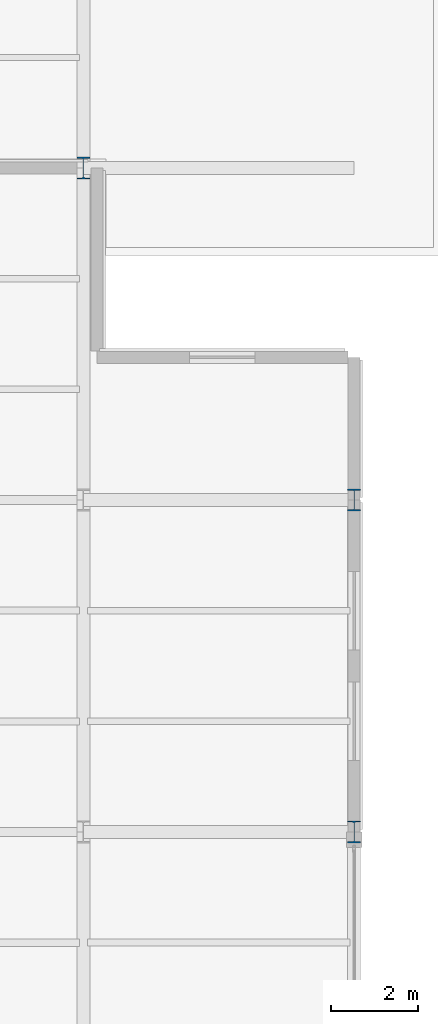
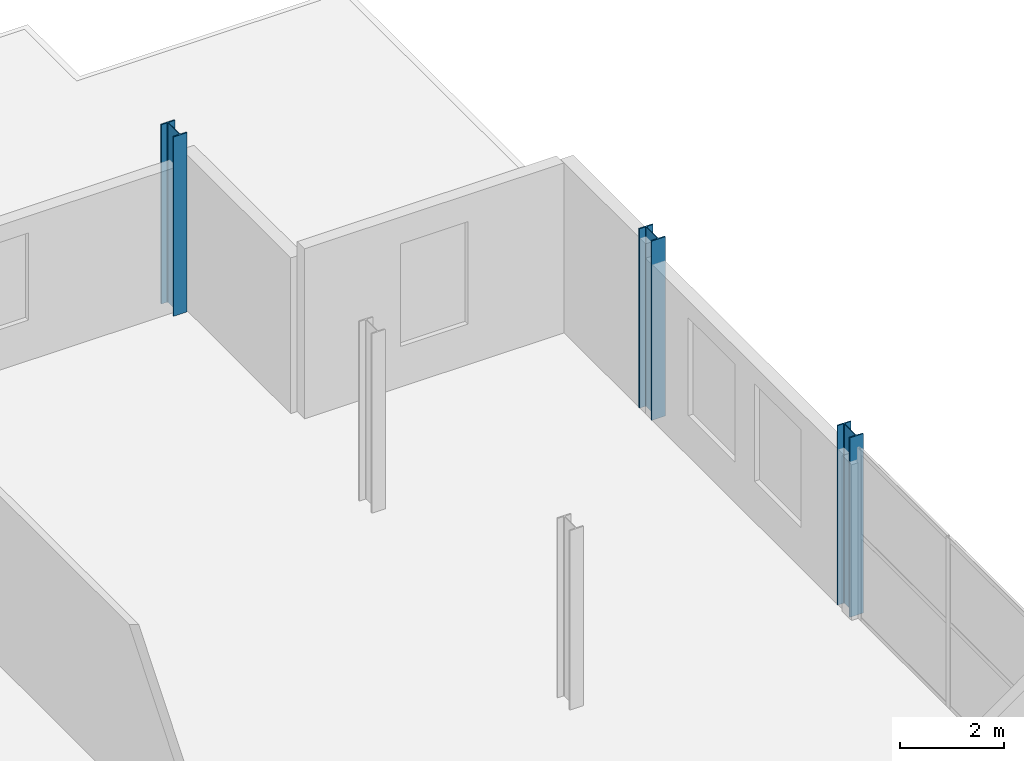
# One storey, part 16 of 101: 3 columns.
"""IFC4 building model written with IfcOpenShell, lengths in metres."""

import ifcopenshell
import ifcopenshell.guid

model = None  # the IFC model being written
_history = None  # IfcOwnerHistory: only IFC2X3 demands one
_inside = {}  # id of a spatial element -> (the spatial element, [elements in it])
_under = {}  # id of a project, library or spatial element -> (it, [spatial elements below it])
_declared = {}  # id of a project -> (the project, [libraries it declares])
_typed = {}  # id of a type object -> (the type object, [elements of that type])
_made_of = {}  # id of a material, layer set ... -> (it, [elements and type objects made of it])


def new_model(schema):
    """Start an empty IFC model of exactly this schema.

    Asked for "IFC4X3", IfcOpenShell would pick the latest addendum, in which some entities
    have other attributes; the version numbers below select the first issue.
    IFC2X3 requires an IfcOwnerHistory on every rooted entity: one is made here for all.
    """
    global model, _history
    if schema == "IFC4X3":
        model = ifcopenshell.file(schema_version=(4, 3, 0, 0))
    else:
        model = ifcopenshell.file(schema=schema)
    _inside.clear()
    _under.clear()
    _declared.clear()
    _typed.clear()
    _made_of.clear()
    _history = None
    if model.schema == "IFC2X3":
        org = make("IfcOrganization", Name="unknown")
        user = make(
            "IfcPersonAndOrganization",
            ThePerson=make("IfcPerson", FamilyName="unknown"),
            TheOrganization=org,
        )
        app = make(
            "IfcApplication",
            ApplicationDeveloper=org,
            Version="unknown",
            ApplicationFullName="unknown",
            ApplicationIdentifier="unknown",
        )
        _history = make(
            "IfcOwnerHistory",
            OwningUser=user,
            OwningApplication=app,
            ChangeAction="ADDED",
            CreationDate=0,
        )
    return model


def make(cls, **values):
    """One entity of the class cls with the attributes given. An attribute that is None is left unset."""
    return model.create_entity(
        cls, **{name: value for name, value in values.items() if value is not None}
    )


def rooted(cls, **values):
    """An entity with a GlobalId (a new one), such as an element, a storey or a relation."""
    return make(cls, GlobalId=ifcopenshell.guid.new(), OwnerHistory=_history, **values)


def si_unit(unit_type, name, prefix=None):
    """IfcSIUnit, for example si_unit("LENGTHUNIT", "METRE", prefix="MILLI")."""
    return make("IfcSIUnit", UnitType=unit_type, Prefix=prefix, Name=name)


def assignment(units):
    """IfcUnitAssignment: the units of a project."""
    return None if units is None else make("IfcUnitAssignment", Units=units)


def point(xyz):
    """IfcCartesianPoint."""
    return None if xyz is None else make("IfcCartesianPoint", Coordinates=xyz)


def direction(xyz):
    """IfcDirection."""
    return None if xyz is None else make("IfcDirection", DirectionRatios=xyz)


def frame(location, z_axis=None, x_axis=None):
    """IfcAxis2Placement3D, a coordinate frame: its origin and axes. An axis left out is left unset."""
    return make(
        "IfcAxis2Placement3D",
        Location=point(location),
        Axis=direction(z_axis),
        RefDirection=direction(x_axis),
    )


def frame_2d(location, x_axis=None):
    """IfcAxis2Placement2D, a coordinate frame in the plane: its origin and x axis."""
    return make(
        "IfcAxis2Placement2D", Location=point(location), RefDirection=direction(x_axis)
    )


def origin():
    """The frame at (0, 0, 0) with its axes left unset."""
    return frame((0.0, 0.0, 0.0))


def origin_2d():
    """The frame at (0, 0) in the plane with its x axis left unset."""
    return frame_2d((0.0, 0.0))


def place(relative_to, where):
    """IfcLocalPlacement: puts the frame where relative to a parent placement (None: the world)."""
    return make(
        "IfcLocalPlacement", PlacementRelTo=relative_to, RelativePlacement=where
    )


def context(
    kind, dimensions, precision=None, world=None, true_north=None, identifier=None
):
    """IfcGeometricRepresentationContext, for example the 3D "Model" context."""
    return make(
        "IfcGeometricRepresentationContext",
        ContextIdentifier=identifier,
        ContextType=kind,
        CoordinateSpaceDimension=dimensions,
        Precision=precision,
        WorldCoordinateSystem=world,
        TrueNorth=true_north,
    )


def subcontext(parent, identifier, kind, view, scale=None):
    """IfcGeometricRepresentationSubContext, for example "Body" below "Model"."""
    return make(
        "IfcGeometricRepresentationSubContext",
        ContextIdentifier=identifier,
        ContextType=kind,
        ParentContext=parent,
        TargetScale=scale,
        TargetView=view,
    )


def project(units=None, contexts=None):
    """IfcProject with its units and contexts."""
    return rooted(
        "IfcProject",
        Name="project",
        RepresentationContexts=contexts,
        UnitsInContext=assignment(units),
    )


def spatial(cls, under=None, at=None, **own):
    """A site, building, storey or space (cls), placed at a placement, below another one or the project."""
    s = rooted(cls, ObjectPlacement=at, **own)
    if under is not None:
        _under.setdefault(under.id(), (under, []))[1].append(s)
    return s


def profile(cls, at=None, kind="AREA", **sizes):
    """A parametric profile (cls). Its sizes go by their IFC names, for example OverallWidth=200.0."""
    return make(cls, ProfileType=kind, Position=at, **sizes)


def i_section(**sizes):
    """IfcIShapeProfileDef."""
    return profile("IfcIShapeProfileDef", **sizes)


def extrude(swept, where, along, depth):
    """IfcExtrudedAreaSolid: the profile swept, set in the frame where, extruded along a direction by depth."""
    return make(
        "IfcExtrudedAreaSolid",
        SweptArea=swept,
        Position=where,
        ExtrudedDirection=direction(along),
        Depth=depth,
    )


def shape(context_of_items, identifier, shape_type, items):
    """IfcShapeRepresentation: the items that make up one representation, for example the "Body"."""
    return make(
        "IfcShapeRepresentation",
        ContextOfItems=context_of_items,
        RepresentationIdentifier=identifier,
        RepresentationType=shape_type,
        Items=items,
    )


def material(Name=None, Category=None):
    """IfcMaterial."""
    return make("IfcMaterial", Name=Name, Category=Category)


def material_profile(
    of_material, cross_section, Name=None, Category=None, Priority=None
):
    """IfcMaterialProfile: a cross section and its material."""
    return make(
        "IfcMaterialProfile",
        Name=Name,
        Material=of_material,
        Profile=cross_section,
        Priority=Priority,
        Category=Category,
    )


def profile_set(profiles, Name=None, composite=None):
    """IfcMaterialProfileSet."""
    return make(
        "IfcMaterialProfileSet",
        Name=Name,
        MaterialProfiles=profiles,
        CompositeProfile=composite,
    )


def made_of(thing, what):
    """Note that an element or type object is made of a material, layer set ...; save() writes the relation."""
    if what is not None:
        _made_of.setdefault(what.id(), (what, []))[1].append(thing)
    return thing


def type_object(cls, material=None, **own):
    """A type object (cls), such as IfcWallType, which elements share."""
    return made_of(rooted(cls, **own), material)


def element(
    cls,
    number,
    at=None,
    inside=None,
    cuts=None,
    type_object=None,
    material=None,
    context=None,
    identifier="Body",
    shape_type=None,
    held_by="IfcProductDefinitionShape",
    body=None,
    shapes=None,
    **own,
):
    """One element of the class cls, such as IfcWall. Its Tag is "e" and its number.

    at: its placement. inside: the storey or other place that contains it. cuts: it is an
    opening in that element (IfcRelVoidsElement). A single representation is given by context,
    identifier, shape_type and body (its items); several are given by shapes. held_by: the class
    of the entity that holds the representations. save() writes the other relations.
    """
    e = rooted(cls, Tag="e%d" % number, ObjectPlacement=at, **own)
    if body is not None:
        shapes = [shape(context, identifier, shape_type, body)]
    if shapes is not None:
        e.Representation = make(held_by, Representations=shapes)
    if inside is not None:
        _inside.setdefault(inside.id(), (inside, []))[1].append(e)
    if cuts is not None:
        rooted(
            "IfcRelVoidsElement", RelatingBuildingElement=cuts, RelatedOpeningElement=e
        )
    if type_object is not None:
        _typed.setdefault(type_object.id(), (type_object, []))[1].append(e)
    return made_of(e, material)


def aggregate(whole, parts):
    """IfcRelAggregates: a whole, such as a stair, and the parts it consists of."""
    return rooted("IfcRelAggregates", RelatingObject=whole, RelatedObjects=parts)


def save(model, path):
    """Write the relations noted so far, then the file.

    IfcRelAggregates (storeys below a building ...), IfcRelContainedInSpatialStructure (elements
    in a storey), IfcRelDefinesByType, IfcRelAssociatesMaterial and IfcRelDeclares: one each for
    every whole, place, type object, material and project.
    """
    for whole, parts in _under.values():
        aggregate(whole, parts)
    for where, things in _inside.values():
        rooted(
            "IfcRelContainedInSpatialStructure",
            RelatedElements=things,
            RelatingStructure=where,
        )
    for kind, things in _typed.values():
        rooted("IfcRelDefinesByType", RelatedObjects=things, RelatingType=kind)
    for what, things in _made_of.values():
        rooted("IfcRelAssociatesMaterial", RelatedObjects=things, RelatingMaterial=what)
    for by, libraries in _declared.values():
        rooted("IfcRelDeclares", RelatingContext=by, RelatedDefinitions=libraries)
    model.write(path)


model = new_model("IFC4")

# Units and contexts
model_context = context("Model", 3, precision=1e-05, world=origin(), true_north=direction((0.0, 1.0)))
body_context = subcontext(model_context, "Body", "Model", "MODEL_VIEW")
ifc_project = project(units=[si_unit("LENGTHUNIT", "METRE"), si_unit("AREAUNIT", "SQUARE_METRE"), si_unit("VOLUMEUNIT", "CUBIC_METRE"), si_unit("PLANEANGLEUNIT", "RADIAN"), si_unit("MASSUNIT", "GRAM", prefix="KILO")], contexts=[model_context])

# Site, building, storey
site_placement = place(None, origin())
site = spatial("IfcSite", under=ifc_project, at=site_placement, CompositionType="ELEMENT")
building_placement = place(site_placement, origin())
building = spatial("IfcBuilding", under=site, at=building_placement, Name="Vekula Escarpment Museum", CompositionType="ELEMENT")
storey_placement = place(building_placement, frame((0.0, 0.0, 18.0)))
storey = spatial("IfcBuildingStorey", under=building, at=storey_placement, Name="L04", CompositionType="ELEMENT", Elevation=18.0)

# Columns
ifc_material = material(Name="Steel S355", Category="steel")
ifc_material_profile = material_profile(ifc_material, i_section(OverallWidth=0.300048828125, OverallDepth=0.5, WebThickness=0.014404296875, FlangeThickness=0.028076171875, FilletRadius=0.027099609375, at=origin_2d()), Name="HEB 500")
ifc_profile_set = profile_set([ifc_material_profile], Name="Steel S355")
column_type = type_object("IfcColumnType", Name="COL-S-HEB500", PredefinedType="COLUMN", material=ifc_profile_set)
for number, where, z_axis, x_axis, name in (
    (1, (191.800048828125, 120.800048828125, 0.0), (0.0, 0.0, 1.0), (1.0, 0.0, 0.0), "Column L04 (191.8,120.8)"),
    (2, (198.0, 105.60009765625, 0.0), (0.0, 0.0, 1.0), (1.0, 0.0, 0.0), "Column L04 (198.0,105.6)"),
    (3, (198.0, 113.199951171875, 0.0), (0.0, 0.0, 1.0), (1.0, 0.0, 0.0), "Column L04 (198.0,113.2)"),
):
    element("IfcColumn", number, at=place(storey_placement, frame(where, z_axis=z_axis, x_axis=x_axis)), inside=storey, type_object=column_type, Name=name, PredefinedType="COLUMN", context=body_context, shape_type="SweptSolid", body=[
        extrude(i_section(OverallWidth=0.300048828125, OverallDepth=0.5, WebThickness=0.014404296875, FlangeThickness=0.028076171875, FilletRadius=0.027099609375, at=origin_2d()), origin(), (0.0, 0.0, 1.0), 4.199951171875),
    ])

save(model, "model.ifc")
